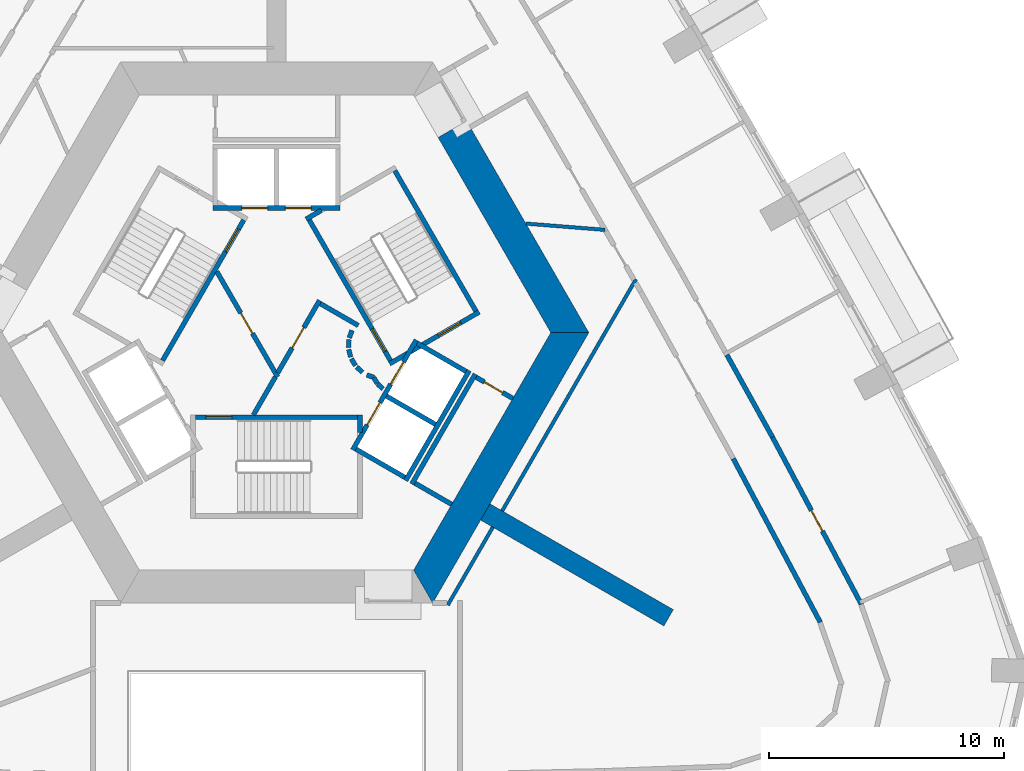
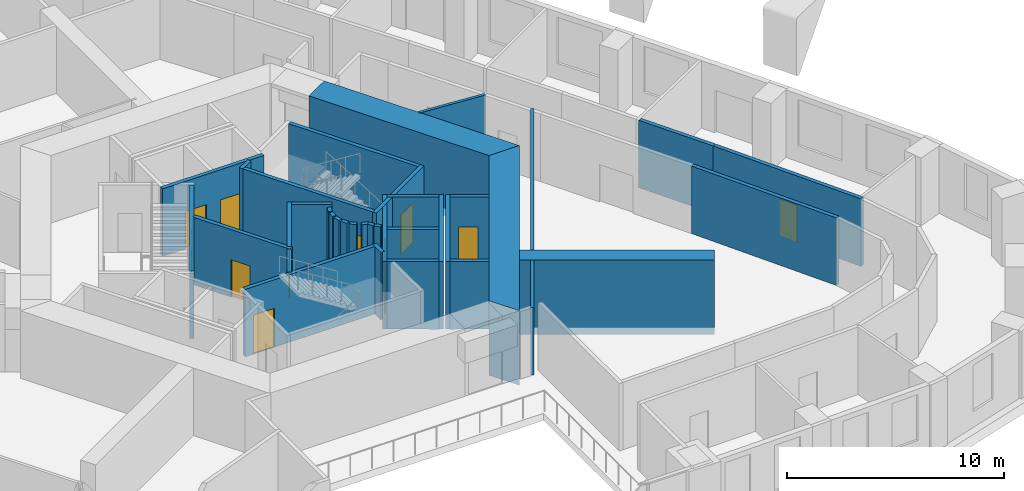
# One storey, part 6 of 13: 37 walls, 12 doors, 12 openings.
"""IFC4 building model written with IfcOpenShell, lengths in metres."""

import ifcopenshell
import ifcopenshell.guid

model = None  # the IFC model being written
_history = None  # IfcOwnerHistory: only IFC2X3 demands one
_inside = {}  # id of a spatial element -> (the spatial element, [elements in it])
_under = {}  # id of a project, library or spatial element -> (it, [spatial elements below it])
_declared = {}  # id of a project -> (the project, [libraries it declares])
_typed = {}  # id of a type object -> (the type object, [elements of that type])
_made_of = {}  # id of a material, layer set ... -> (it, [elements and type objects made of it])


def new_model(schema):
    """Start an empty IFC model of exactly this schema.

    Asked for "IFC4X3", IfcOpenShell would pick the latest addendum, in which some entities
    have other attributes; the version numbers below select the first issue.
    IFC2X3 requires an IfcOwnerHistory on every rooted entity: one is made here for all.
    """
    global model, _history
    if schema == "IFC4X3":
        model = ifcopenshell.file(schema_version=(4, 3, 0, 0))
    else:
        model = ifcopenshell.file(schema=schema)
    _inside.clear()
    _under.clear()
    _declared.clear()
    _typed.clear()
    _made_of.clear()
    _history = None
    if model.schema == "IFC2X3":
        org = make("IfcOrganization", Name="unknown")
        user = make(
            "IfcPersonAndOrganization",
            ThePerson=make("IfcPerson", FamilyName="unknown"),
            TheOrganization=org,
        )
        app = make(
            "IfcApplication",
            ApplicationDeveloper=org,
            Version="unknown",
            ApplicationFullName="unknown",
            ApplicationIdentifier="unknown",
        )
        _history = make(
            "IfcOwnerHistory",
            OwningUser=user,
            OwningApplication=app,
            ChangeAction="ADDED",
            CreationDate=0,
        )
    return model


def make(cls, **values):
    """One entity of the class cls with the attributes given. An attribute that is None is left unset."""
    return model.create_entity(
        cls, **{name: value for name, value in values.items() if value is not None}
    )


def rooted(cls, **values):
    """An entity with a GlobalId (a new one), such as an element, a storey or a relation."""
    return make(cls, GlobalId=ifcopenshell.guid.new(), OwnerHistory=_history, **values)


def si_unit(unit_type, name, prefix=None):
    """IfcSIUnit, for example si_unit("LENGTHUNIT", "METRE", prefix="MILLI")."""
    return make("IfcSIUnit", UnitType=unit_type, Prefix=prefix, Name=name)


def assignment(units):
    """IfcUnitAssignment: the units of a project."""
    return None if units is None else make("IfcUnitAssignment", Units=units)


def point(xyz):
    """IfcCartesianPoint."""
    return None if xyz is None else make("IfcCartesianPoint", Coordinates=xyz)


def direction(xyz):
    """IfcDirection."""
    return None if xyz is None else make("IfcDirection", DirectionRatios=xyz)


def frame(location, z_axis=None, x_axis=None):
    """IfcAxis2Placement3D, a coordinate frame: its origin and axes. An axis left out is left unset."""
    return make(
        "IfcAxis2Placement3D",
        Location=point(location),
        Axis=direction(z_axis),
        RefDirection=direction(x_axis),
    )


def frame_2d(location, x_axis=None):
    """IfcAxis2Placement2D, a coordinate frame in the plane: its origin and x axis."""
    return make(
        "IfcAxis2Placement2D", Location=point(location), RefDirection=direction(x_axis)
    )


def origin():
    """The frame at (0, 0, 0) with its axes left unset."""
    return frame((0.0, 0.0, 0.0))


def place(relative_to, where):
    """IfcLocalPlacement: puts the frame where relative to a parent placement (None: the world)."""
    return make(
        "IfcLocalPlacement", PlacementRelTo=relative_to, RelativePlacement=where
    )


def context(
    kind, dimensions, precision=None, world=None, true_north=None, identifier=None
):
    """IfcGeometricRepresentationContext, for example the 3D "Model" context."""
    return make(
        "IfcGeometricRepresentationContext",
        ContextIdentifier=identifier,
        ContextType=kind,
        CoordinateSpaceDimension=dimensions,
        Precision=precision,
        WorldCoordinateSystem=world,
        TrueNorth=true_north,
    )


def subcontext(parent, identifier, kind, view, scale=None):
    """IfcGeometricRepresentationSubContext, for example "Body" below "Model"."""
    return make(
        "IfcGeometricRepresentationSubContext",
        ContextIdentifier=identifier,
        ContextType=kind,
        ParentContext=parent,
        TargetScale=scale,
        TargetView=view,
    )


def project(units=None, contexts=None):
    """IfcProject with its units and contexts."""
    return rooted(
        "IfcProject",
        Name="project",
        RepresentationContexts=contexts,
        UnitsInContext=assignment(units),
    )


def spatial(cls, under=None, at=None, **own):
    """A site, building, storey or space (cls), placed at a placement, below another one or the project."""
    s = rooted(cls, ObjectPlacement=at, **own)
    if under is not None:
        _under.setdefault(under.id(), (under, []))[1].append(s)
    return s


def polyline(points):
    """IfcPolyline through the points."""
    return make("IfcPolyline", Points=[point(p) for p in points])


def profile(cls, at=None, kind="AREA", **sizes):
    """A parametric profile (cls). Its sizes go by their IFC names, for example OverallWidth=200.0."""
    return make(cls, ProfileType=kind, Position=at, **sizes)


def rectangle(**sizes):
    """IfcRectangleProfileDef."""
    return profile("IfcRectangleProfileDef", **sizes)


def outline(outer, holes=None, kind="AREA"):
    """IfcArbitraryClosedProfileDef: a profile drawn as a closed curve; with holes, ...WithVoids."""
    if holes is None:
        return make("IfcArbitraryClosedProfileDef", ProfileType=kind, OuterCurve=outer)
    return make(
        "IfcArbitraryProfileDefWithVoids",
        ProfileType=kind,
        OuterCurve=outer,
        InnerCurves=holes,
    )


def extrude(swept, where, along, depth):
    """IfcExtrudedAreaSolid: the profile swept, set in the frame where, extruded along a direction by depth."""
    return make(
        "IfcExtrudedAreaSolid",
        SweptArea=swept,
        Position=where,
        ExtrudedDirection=direction(along),
        Depth=depth,
    )


def shape(context_of_items, identifier, shape_type, items):
    """IfcShapeRepresentation: the items that make up one representation, for example the "Body"."""
    return make(
        "IfcShapeRepresentation",
        ContextOfItems=context_of_items,
        RepresentationIdentifier=identifier,
        RepresentationType=shape_type,
        Items=items,
    )


def material(Name=None, Category=None):
    """IfcMaterial."""
    return make("IfcMaterial", Name=Name, Category=Category)


def layer(
    of_material, thickness, ventilated=None, Name=None, Category=None, Priority=None
):
    """IfcMaterialLayer: one layer of a wall or slab, of a material (None: an air gap)."""
    return make(
        "IfcMaterialLayer",
        Material=of_material,
        LayerThickness=thickness,
        IsVentilated=ventilated,
        Name=Name,
        Category=Category,
        Priority=Priority,
    )


def layer_set(layers, Name=None):
    """IfcMaterialLayerSet."""
    return make("IfcMaterialLayerSet", MaterialLayers=layers, LayerSetName=Name)


def made_of(thing, what):
    """Note that an element or type object is made of a material, layer set ...; save() writes the relation."""
    if what is not None:
        _made_of.setdefault(what.id(), (what, []))[1].append(thing)
    return thing


def type_object(cls, material=None, **own):
    """A type object (cls), such as IfcWallType, which elements share."""
    return made_of(rooted(cls, **own), material)


def element(
    cls,
    number,
    at=None,
    inside=None,
    cuts=None,
    type_object=None,
    material=None,
    context=None,
    identifier="Body",
    shape_type=None,
    held_by="IfcProductDefinitionShape",
    body=None,
    shapes=None,
    **own,
):
    """One element of the class cls, such as IfcWall. Its Tag is "e" and its number.

    at: its placement. inside: the storey or other place that contains it. cuts: it is an
    opening in that element (IfcRelVoidsElement). A single representation is given by context,
    identifier, shape_type and body (its items); several are given by shapes. held_by: the class
    of the entity that holds the representations. save() writes the other relations.
    """
    e = rooted(cls, Tag="e%d" % number, ObjectPlacement=at, **own)
    if body is not None:
        shapes = [shape(context, identifier, shape_type, body)]
    if shapes is not None:
        e.Representation = make(held_by, Representations=shapes)
    if inside is not None:
        _inside.setdefault(inside.id(), (inside, []))[1].append(e)
    if cuts is not None:
        rooted(
            "IfcRelVoidsElement", RelatingBuildingElement=cuts, RelatedOpeningElement=e
        )
    if type_object is not None:
        _typed.setdefault(type_object.id(), (type_object, []))[1].append(e)
    return made_of(e, material)


def fill(opening, filler):
    """IfcRelFillsElement: the door or window that sits in an opening."""
    return rooted(
        "IfcRelFillsElement",
        RelatingOpeningElement=opening,
        RelatedBuildingElement=filler,
    )


def aggregate(whole, parts):
    """IfcRelAggregates: a whole, such as a stair, and the parts it consists of."""
    return rooted("IfcRelAggregates", RelatingObject=whole, RelatedObjects=parts)


def save(model, path):
    """Write the relations noted so far, then the file.

    IfcRelAggregates (storeys below a building ...), IfcRelContainedInSpatialStructure (elements
    in a storey), IfcRelDefinesByType, IfcRelAssociatesMaterial and IfcRelDeclares: one each for
    every whole, place, type object, material and project.
    """
    for whole, parts in _under.values():
        aggregate(whole, parts)
    for where, things in _inside.values():
        rooted(
            "IfcRelContainedInSpatialStructure",
            RelatedElements=things,
            RelatingStructure=where,
        )
    for kind, things in _typed.values():
        rooted("IfcRelDefinesByType", RelatedObjects=things, RelatingType=kind)
    for what, things in _made_of.values():
        rooted("IfcRelAssociatesMaterial", RelatedObjects=things, RelatingMaterial=what)
    for by, libraries in _declared.values():
        rooted("IfcRelDeclares", RelatingContext=by, RelatedDefinitions=libraries)
    model.write(path)


model = new_model("IFC4")

# Units and contexts
model_context = context("Model", 3, precision=1e-05, world=origin(), true_north=direction((0.0, 1.0)))
body_context = subcontext(model_context, "Body", "Model", "MODEL_VIEW")
ifc_project = project(units=[si_unit("LENGTHUNIT", "METRE"), si_unit("AREAUNIT", "SQUARE_METRE"), si_unit("VOLUMEUNIT", "CUBIC_METRE"), si_unit("PLANEANGLEUNIT", "RADIAN"), si_unit("MASSUNIT", "GRAM", prefix="KILO")], contexts=[model_context])

# Site, building, storey
site_placement = place(None, origin())
site = spatial("IfcSite", under=ifc_project, at=site_placement, CompositionType="ELEMENT")
building_placement = place(site_placement, origin())
building = spatial("IfcBuilding", under=site, at=building_placement, Name="Entoto Arch Interchange Tower", CompositionType="ELEMENT")
storey_placement = place(building_placement, frame((0.0, 0.0, 227.60009765625)))
storey = spatial("IfcBuildingStorey", under=building, at=storey_placement, Name="L51", CompositionType="ELEMENT", Elevation=227.60009765625)

# Walls
ifc_material_1 = material(Name="Concrete C50/60", Category="concrete")
ifc_layer_1 = layer(ifc_material_1, 0.800048828125)
ifc_layer_set_1 = layer_set([ifc_layer_1], Name="Concrete C50/60")
wall_type_1 = type_object("IfcWallType", Name="Buttress wall 800 C50/60", PredefinedType="SHEAR", material=ifc_layer_set_1)
wall_1_placement = place(storey_placement, frame((8.876953125, -5.125, -0.400146484375), z_axis=(0.0, 0.0, 1.0), x_axis=(0.866017533419, -0.500013631625, 0.0)))
element("IfcWall", 1, at=wall_1_placement, inside=storey, type_object=wall_type_1, Name="Buttress wall SE L51", PredefinedType="SHEAR", context=body_context, shape_type="SweptSolid", body=[
    extrude(rectangle(XDim=8.999755859375, YDim=0.800048828125, at=frame_2d((4.5, 0.0))), origin(), (0.0, 0.0, 1.0), 4.199951171875),
])
ifc_layer_2 = layer(ifc_material_1, 1.39990234375)
ifc_layer_set_2 = layer_set([ifc_layer_2], Name="Concrete C50/60")
wall_type_2 = type_object("IfcWallType", Name="Core wall 1400 C50/60", PredefinedType="SHEAR", material=ifc_layer_set_2)
wall_2_placement = place(storey_placement, frame((0.0, 0.0, -0.400146484375)))
element("IfcWall", 2, at=wall_2_placement, inside=storey, type_object=wall_type_2, Name="Core wall NE L51", PredefinedType="SHEAR", context=body_context, shape_type="SweptSolid", body=[
    extrude(outline(polyline([(8.083984375, 11.498046875), (6.87109375, 10.798095703125), (11.662109375, 2.5), (13.279052734375, 2.5), (8.083984375, 11.498046875)])), origin(), (0.0, 0.0, 1.0), 4.199951171875),
])
wall_3_placement = place(storey_placement, frame((0.0, 0.0, -0.400146484375)))
element("IfcWall", 3, at=wall_3_placement, inside=storey, type_object=wall_type_2, Name="Core wall SE L51", PredefinedType="SHEAR", context=body_context, shape_type="SweptSolid", body=[
    extrude(outline(polyline([(6.639892578125, -9.0), (13.279052734375, 2.5), (11.662109375, 2.5), (5.8310546875, -7.60009765625), (6.639892578125, -9.0)])), origin(), (0.0, 0.0, 1.0), 4.199951171875),
])

# Wall, openings, doors
ifc_material_2 = material(Name="Concrete C40/50", Category="concrete")
ifc_layer_3 = layer(ifc_material_2, 0.199951171875)
ifc_layer_set_3 = layer_set([ifc_layer_3], Name="Concrete C40/50")
wall_type_3 = type_object("IfcWallType", Name="LIFT SHAFT WALL 200", PredefinedType="STANDARD", material=ifc_layer_set_3)
wall_4_placement = place(storey_placement, frame((2.699951171875, 7.800048828125, 0.0), z_axis=(0.0, 0.0, 1.0), x_axis=(-1.0, 0.0, 0.0)))
wall_4 = element("IfcWall", 4, at=wall_4_placement, inside=storey, type_object=wall_type_3, Name="Shaft wall N1 front", PredefinedType="STANDARD", context=body_context, shape_type="SweptSolid", body=[
    extrude(rectangle(XDim=5.39990234375, YDim=0.199951171875, at=frame_2d((2.699951171875, 0.0))), origin(), (0.0, 0.0, 1.0), 3.7998046875),
])
opening_1_placement = place(wall_4_placement, frame((1.22509765625, 0.0, 0.0)))
opening_1 = element("IfcOpeningElement", 5, at=opening_1_placement, cuts=wall_4, Name="Opening LD-HR1-L51", PredefinedType="OPENING", context=body_context, shape_type="SweptSolid", body=[
    extrude(rectangle(XDim=1.10009765625, YDim=2.10009765625, at=frame_2d((0.550048828125, 1.050048828125))), frame((0.0, 0.10986328125, 0.0), z_axis=(0.0, -1.0, 0.0), x_axis=(1.0, 0.0, 0.0)), (0.0, 0.0, 1.0), 0.219970703125),
])
opening_2_placement = place(wall_4_placement, frame((3.074951171875, 0.0, 0.0)))
opening_2 = element("IfcOpeningElement", 6, at=opening_2_placement, cuts=wall_4, Name="Opening LD-HR2-L51", PredefinedType="OPENING", context=body_context, shape_type="SweptSolid", body=[
    extrude(rectangle(XDim=1.10009765625, YDim=2.10009765625, at=frame_2d((0.550048828125, 1.050048828125))), frame((0.0, 0.10986328125, 0.0), z_axis=(0.0, -1.0, 0.0), x_axis=(1.0, 0.0, 0.0)), (0.0, 0.0, 1.0), 0.219970703125),
])
ifc_material_3 = material(Name="Stainless steel 1.4301 panels", Category="steel")
door_type_1 = type_object("IfcDoorType", Name="LIFT LANDING DOOR LD1 1100x2100", OperationType="SLIDING_TO_LEFT", PredefinedType="DOOR", material=ifc_material_3)
door_1_placement = place(opening_1_placement, origin())
door_1 = element("IfcDoor", 7, at=door_1_placement, inside=storey, type_object=door_type_1, Name="Lift landing door HR1 L51", OperationType="SLIDING_TO_LEFT", OverallHeight=2.10009765625, OverallWidth=1.10009765625, PredefinedType="DOOR", context=body_context, shape_type="SweptSolid", body=[
    extrude(rectangle(XDim=1.10009765625, YDim=2.10009765625, at=frame_2d((0.550048828125, 1.050048828125))), frame((0.0, 0.02490234375, 0.0), z_axis=(0.0, -1.0, 0.0), x_axis=(1.0, 0.0, 0.0)), (0.0, 0.0, 1.0), 0.050048828125),
])
fill(opening_1, door_1)
door_2_placement = place(opening_2_placement, origin())
door_2 = element("IfcDoor", 8, at=door_2_placement, inside=storey, type_object=door_type_1, Name="Lift landing door HR2 L51", OperationType="SLIDING_TO_LEFT", OverallHeight=2.10009765625, OverallWidth=1.10009765625, PredefinedType="DOOR", context=body_context, shape_type="SweptSolid", body=[
    extrude(rectangle(XDim=1.10009765625, YDim=2.10009765625, at=frame_2d((0.550048828125, 1.050048828125))), frame((0.0, 0.02490234375, 0.0), z_axis=(0.0, -1.0, 0.0), x_axis=(1.0, 0.0, 0.0)), (0.0, 0.0, 1.0), 0.050048828125),
])
fill(opening_2, door_2)

wall_5_placement = place(storey_placement, frame((3.239990234375, -2.488037109375, 0.0), z_axis=(0.0, 0.0, 1.0), x_axis=(0.500034260056, 0.866005622828, 0.0)))
wall_5 = element("IfcWall", 9, at=wall_5_placement, inside=storey, type_object=wall_type_3, Name="Shaft wall SE1 front", PredefinedType="STANDARD", context=body_context, shape_type="SweptSolid", body=[
    extrude(rectangle(XDim=5.3994140625, YDim=0.199951171875, at=frame_2d((2.69970703125, 0.0))), origin(), (0.0, 0.0, 1.0), 3.7998046875),
])
opening_3_placement = place(wall_5_placement, frame((3.22509765625, 0.0, 0.0)))
opening_3 = element("IfcOpeningElement", 10, at=opening_3_placement, cuts=wall_5, Name="Opening LD-HR3-L51", PredefinedType="OPENING", context=body_context, shape_type="SweptSolid", body=[
    extrude(rectangle(XDim=1.10009765625, YDim=2.10009765625, at=frame_2d((0.550048828125, 1.050048828125))), frame((0.0, 0.10986328125, 0.0), z_axis=(0.0, -1.0, 0.0), x_axis=(1.0, 0.0, 0.0)), (0.0, 0.0, 1.0), 0.219970703125),
])
opening_4_placement = place(wall_5_placement, frame((1.22509765625, 0.0, 0.0)))
opening_4 = element("IfcOpeningElement", 11, at=opening_4_placement, cuts=wall_5, Name="Opening LD-FF1-L51", PredefinedType="OPENING", context=body_context, shape_type="SweptSolid", body=[
    extrude(rectangle(XDim=1.10009765625, YDim=2.10009765625, at=frame_2d((0.550048828125, 1.050048828125))), frame((0.0, 0.10986328125, 0.0), z_axis=(0.0, -1.0, 0.0), x_axis=(1.0, 0.0, 0.0)), (0.0, 0.0, 1.0), 0.219970703125),
])
door_3_placement = place(opening_3_placement, origin())
door_3 = element("IfcDoor", 12, at=door_3_placement, inside=storey, type_object=door_type_1, Name="Lift landing door HR3 L51", OperationType="SLIDING_TO_LEFT", OverallHeight=2.10009765625, OverallWidth=1.10009765625, PredefinedType="DOOR", context=body_context, shape_type="SweptSolid", body=[
    extrude(rectangle(XDim=1.10009765625, YDim=2.10009765625, at=frame_2d((0.550048828125, 1.050048828125))), frame((0.0, 0.02490234375, 0.0), z_axis=(0.0, -1.0, 0.0), x_axis=(1.0, 0.0, 0.0)), (0.0, 0.0, 1.0), 0.050048828125),
])
fill(opening_3, door_3)
door_4_placement = place(opening_4_placement, origin())
door_4 = element("IfcDoor", 13, at=door_4_placement, inside=storey, type_object=door_type_1, Name="Lift landing door FF1 L51", OperationType="SLIDING_TO_LEFT", OverallHeight=2.10009765625, OverallWidth=1.10009765625, PredefinedType="DOOR", context=body_context, shape_type="SweptSolid", body=[
    extrude(rectangle(XDim=1.10009765625, YDim=2.10009765625, at=frame_2d((0.550048828125, 1.050048828125))), frame((0.0, 0.02490234375, 0.0), z_axis=(0.0, -1.0, 0.0), x_axis=(1.0, 0.0, 0.0)), (0.0, 0.0, 1.0), 0.050048828125),
])
fill(opening_4, door_4)

# Walls
wall_6_placement = place(storey_placement, frame((5.491943359375, -3.7880859375, 0.0), z_axis=(0.0, 0.0, 1.0), x_axis=(0.500034260056, 0.866005622828, 0.0)))
element("IfcWall", 14, at=wall_6_placement, inside=storey, type_object=wall_type_3, Name="Shaft wall SE1 back", PredefinedType="STANDARD", context=body_context, shape_type="SweptSolid", body=[
    extrude(rectangle(XDim=5.3994140625, YDim=0.199951171875, at=frame_2d((2.69970703125, 0.0))), origin(), (0.0, 0.0, 1.0), 3.7998046875),
])
wall_7_placement = place(storey_placement, frame((3.376953125, -2.451904296875, 0.0), z_axis=(0.0, 0.0, 1.0), x_axis=(0.865955154139, -0.50012165622, 0.0)))
element("IfcWall", 15, at=wall_7_placement, inside=storey, type_object=wall_type_3, Name="Shaft wall SE1 cross 1", PredefinedType="STANDARD", context=body_context, shape_type="SweptSolid", body=[
    extrude(rectangle(XDim=2.39990234375, YDim=0.199951171875, at=frame_2d((1.199951171875, 0.0))), origin(), (0.0, 0.0, 1.0), 3.7998046875),
])
for number, where, z_axis, x_axis, name in (
    (16, (4.677001953125, -0.199951171875, 0.0), (0.0, 0.0, 1.0), (0.865973769406, -0.500089422704, 0.0), "Shaft wall SE1 cross 2"),
    (17, (5.97705078125, 2.052001953125, 0.0), (0.0, 0.0, 1.0), (0.865973769406, -0.500089422704, 0.0), "Shaft wall SE1 cross 3"),
):
    element("IfcWall", number, at=place(storey_placement, frame(where, z_axis=z_axis, x_axis=x_axis)), inside=storey, type_object=wall_type_3, Name=name, PredefinedType="STANDARD", context=body_context, shape_type="SweptSolid", body=[
        extrude(rectangle(XDim=2.3994140625, YDim=0.199951171875, at=frame_2d((1.19970703125, 0.0))), origin(), (0.0, 0.0, 1.0), 3.7998046875),
    ])
ifc_material_4 = material(Name="Gypsum board partition on steel studs", Category="steel")
ifc_layer_4 = layer(ifc_material_4, 0.14990234375)
ifc_layer_set_4 = layer_set([ifc_layer_4], Name="Gypsum board partition on steel studs")
wall_type_4 = type_object("IfcWallType", Name="PARTITION 150", PredefinedType="PARTITIONING", material=ifc_layer_set_4)
wall_8_placement = place(storey_placement, frame((10.60400390625, 7.135009765625, 0.0), z_axis=(0.0, 0.0, 1.0), x_axis=(0.996887536909, -0.07883678555, 0.0)))
element("IfcWall", 18, at=wall_8_placement, inside=storey, type_object=wall_type_4, Name="wall:L51:p083", PredefinedType="PARTITIONING", context=body_context, shape_type="SweptSolid", body=[
    extrude(rectangle(XDim=3.37548828125, YDim=0.14990234375, at=frame_2d((1.687744140625, 0.0))), origin(), (0.0, 0.0, 1.0), 3.7998046875),
])
wall_9_placement = place(storey_placement, frame((7.282958984375, -9.0859375, 0.0), z_axis=(0.0, 0.0, 1.0), x_axis=(0.500035303972, 0.866005020067, 0.0)))
element("IfcWall", 19, at=wall_9_placement, inside=storey, type_object=wall_type_4, Name="wall:L51:p085", PredefinedType="PARTITIONING", context=body_context, shape_type="SweptSolid", body=[
    extrude(rectangle(XDim=3.827880859375, YDim=0.14990234375, at=frame_2d((1.9140625, 0.0))), origin(), (0.0, 0.0, 1.0), 3.7998046875),
])
wall_10_placement = place(storey_placement, frame((9.596923828125, -5.0791015625, 0.0), z_axis=(0.0, 0.0, 1.0), x_axis=(0.499949193323, 0.866054735046, 0.0)))
element("IfcWall", 20, at=wall_10_placement, inside=storey, type_object=wall_type_4, Name="wall:L51:p085", PredefinedType="PARTITIONING", context=body_context, shape_type="SweptSolid", body=[
    extrude(rectangle(XDim=11.371337890625, YDim=0.14990234375, at=frame_2d((5.685546875, 0.0))), origin(), (0.0, 0.0, 1.0), 3.7998046875),
])
ifc_layer_5 = layer(ifc_material_4, 0.199951171875)
ifc_layer_set_5 = layer_set([ifc_layer_5], Name="Gypsum board partition on steel studs")
wall_type_5 = type_object("IfcWallType", Name="PARTITION 200", PredefinedType="PARTITIONING", material=ifc_layer_set_5)
wall_11_placement = place(storey_placement, frame((23.12109375, -9.819091796875, 0.0), z_axis=(0.0, 0.0, 1.0), x_axis=(-0.469450210487, 0.882958945746, 0.0)))
element("IfcWall", 21, at=wall_11_placement, inside=storey, type_object=wall_type_5, Name="wall:L51:p026", PredefinedType="PARTITIONING", context=body_context, shape_type="SweptSolid", body=[
    extrude(rectangle(XDim=7.88623046875, YDim=0.199951171875, at=frame_2d((3.943115234375, 0.0))), origin(), (0.0, 0.0, 1.0), 3.7998046875),
])
wall_12_placement = place(storey_placement, frame((19.14892578125, 1.552978515625, 0.0), z_axis=(0.0, 0.0, 1.0), x_axis=(0.484622593188, -0.874723351793, 0.0)))
element("IfcWall", 22, at=wall_12_placement, inside=storey, type_object=wall_type_5, Name="wall:L51:p046", PredefinedType="PARTITIONING", context=body_context, shape_type="SweptSolid", body=[
    extrude(rectangle(XDim=4.00341796875, YDim=0.199951171875, at=frame_2d((2.001708984375, 0.0))), origin(), (0.0, 0.0, 1.0), 3.7998046875),
])

# Wall, opening, door
wall_13_placement = place(storey_placement, frame((21.089111328125, -1.948974609375, 0.0), z_axis=(0.0, 0.0, 1.0), x_axis=(0.469431794586, -0.882968736837, 0.0)))
wall_13 = element("IfcWall", 23, at=wall_13_placement, inside=storey, type_object=wall_type_5, Name="wall:L51:p047", PredefinedType="PARTITIONING", context=body_context, shape_type="SweptSolid", body=[
    extrude(rectangle(XDim=8.045654296875, YDim=0.199951171875, at=frame_2d((4.02294921875, 0.0))), origin(), (0.0, 0.0, 1.0), 3.7998046875),
])
opening_5_placement = place(wall_13_placement, frame((3.52197265625, 0.0, 0.0)))
opening_5 = element("IfcOpeningElement", 24, at=opening_5_placement, cuts=wall_13, Name="Opening L51-D04", PredefinedType="OPENING", context=body_context, shape_type="SweptSolid", body=[
    extrude(rectangle(XDim=1.0, YDim=2.10009765625, at=frame_2d((0.5, 1.050048828125))), frame((0.0, 0.10986328125, 0.0), z_axis=(0.0, -1.0, 0.0), x_axis=(1.0, 0.0, 0.0)), (0.0, 0.0, 1.0), 0.219970703125),
])
ifc_material_5 = material(Name="Timber door leaf in Steel S235 frame", Category="steel")
door_type_2 = type_object("IfcDoorType", Name="DOOR DS-10 1000x2100", OperationType="SINGLE_SWING_LEFT", PredefinedType="DOOR", material=ifc_material_5)
door_5_placement = place(opening_5_placement, origin())
door_5 = element("IfcDoor", 25, at=door_5_placement, inside=storey, type_object=door_type_2, Name="door:L51:04", OperationType="SINGLE_SWING_LEFT", OverallHeight=2.10009765625, OverallWidth=1.0, PredefinedType="DOOR", context=body_context, shape_type="SweptSolid", body=[
    extrude(rectangle(XDim=1.0, YDim=2.10009765625, at=frame_2d((0.5, 1.050048828125))), frame((0.0, 0.02490234375, 0.0), z_axis=(0.0, -1.0, 0.0), x_axis=(1.0, 0.0, 0.0)), (0.0, 0.0, 1.0), 0.050048828125),
])
fill(opening_5, door_5)

# Wall
wall_14_placement = place(storey_placement, frame((5.7509765625, -3.93798828125, 0.0), z_axis=(0.0, 0.0, 1.0), x_axis=(0.500034260056, 0.866005622828, 0.0)))
element("IfcWall", 26, at=wall_14_placement, inside=storey, type_object=wall_type_5, Name="wall:L51:p074", PredefinedType="PARTITIONING", context=body_context, shape_type="SweptSolid", body=[
    extrude(rectangle(XDim=5.3994140625, YDim=0.199951171875, at=frame_2d((2.69970703125, 0.0))), origin(), (0.0, 0.0, 1.0), 3.7998046875),
])

# Wall, opening, door
wall_15_placement = place(storey_placement, frame((8.488037109375, 0.60205078125, 0.0), z_axis=(0.0, 0.0, 1.0), x_axis=(0.86585331735, -0.500297944063, 0.0)))
wall_15 = element("IfcWall", 27, at=wall_15_placement, inside=storey, type_object=wall_type_5, Name="wall:L51:p075", PredefinedType="PARTITIONING", context=body_context, shape_type="SweptSolid", body=[
    extrude(rectangle(XDim=1.79931640625, YDim=0.199951171875, at=frame_2d((0.899658203125, 0.0))), origin(), (0.0, 0.0, 1.0), 3.7998046875),
])
opening_6_placement = place(wall_15_placement, frame((0.39990234375, 0.0, 0.0)))
opening_6 = element("IfcOpeningElement", 28, at=opening_6_placement, cuts=wall_15, Name="Opening L51-D30", PredefinedType="OPENING", context=body_context, shape_type="SweptSolid", body=[
    extrude(rectangle(XDim=0.89990234375, YDim=2.10009765625, at=frame_2d((0.449951171875, 1.050048828125))), frame((0.0, 0.10986328125, 0.0), z_axis=(0.0, -1.0, 0.0), x_axis=(1.0, 0.0, 0.0)), (0.0, 0.0, 1.0), 0.219970703125),
])
door_type_3 = type_object("IfcDoorType", Name="DOOR DS-09 900x2100", OperationType="SINGLE_SWING_LEFT", PredefinedType="DOOR", material=ifc_material_5)
door_6_placement = place(opening_6_placement, origin())
door_6 = element("IfcDoor", 29, at=door_6_placement, inside=storey, type_object=door_type_3, Name="door:L51:30", OperationType="SINGLE_SWING_RIGHT", OverallHeight=2.10009765625, OverallWidth=0.89990234375, PredefinedType="DOOR", context=body_context, shape_type="SweptSolid", body=[
    extrude(rectangle(XDim=0.89990234375, YDim=2.10009765625, at=frame_2d((0.449951171875, 1.050048828125))), frame((0.0, 0.02490234375, 0.0), z_axis=(0.0, -1.0, 0.0), x_axis=(1.0, 0.0, 0.0)), (0.0, 0.0, 1.0), 0.050048828125),
])
fill(opening_6, door_6)

# Walls
wall_16_placement = place(storey_placement, frame((7.447021484375, -4.801025390625, 0.0), z_axis=(0.0, 0.0, 1.0), x_axis=(-0.866316547501, 0.499495384889, 0.0)))
element("IfcWall", 30, at=wall_16_placement, inside=storey, type_object=wall_type_5, Name="wall:L51:p076", PredefinedType="PARTITIONING", context=body_context, shape_type="SweptSolid", body=[
    extrude(rectangle(XDim=1.799560546875, YDim=0.199951171875, at=frame_2d((0.89990234375, 0.0))), origin(), (0.0, 0.0, 1.0), 3.7998046875),
])
wall_17_placement = place(storey_placement, frame((-0.98193359375, -1.0, 0.0), z_axis=(0.0, 0.0, 1.0), x_axis=(0.50024047865, 0.865886518847, 0.0)))
element("IfcWall", 31, at=wall_17_placement, inside=storey, type_object=wall_type_5, Name="wall:L51:p086", PredefinedType="PARTITIONING", context=body_context, shape_type="SweptSolid", body=[
    extrude(rectangle(XDim=1.86279296875, YDim=0.199951171875, at=frame_2d((0.931396484375, 0.0))), origin(), (0.0, 0.0, 1.0), 3.7998046875),
])

# Wall, opening, door
wall_18_placement = place(storey_placement, frame((0.050048828125, 0.787109375, 0.0), z_axis=(0.0, 0.0, 1.0), x_axis=(0.499954076797, 0.866051915934, 0.0)))
wall_18 = element("IfcWall", 32, at=wall_18_placement, inside=storey, type_object=wall_type_5, Name="wall:L51:p087", PredefinedType="PARTITIONING", context=body_context, shape_type="SweptSolid", body=[
    extrude(rectangle(XDim=3.558349609375, YDim=0.199951171875, at=frame_2d((1.779296875, 0.0))), origin(), (0.0, 0.0, 1.0), 3.7998046875),
])
opening_7_placement = place(wall_18_placement, frame((1.22900390625, 0.0, 0.0)))
opening_7 = element("IfcOpeningElement", 33, at=opening_7_placement, cuts=wall_18, Name="Opening L51-D27", PredefinedType="OPENING", context=body_context, shape_type="SweptSolid", body=[
    extrude(rectangle(XDim=1.0, YDim=2.10009765625, at=frame_2d((0.5, 1.050048828125))), frame((0.0, 0.10986328125, 0.0), z_axis=(0.0, -1.0, 0.0), x_axis=(1.0, 0.0, 0.0)), (0.0, 0.0, 1.0), 0.219970703125),
])
ifc_material_6 = material(Name="Fire-rated Steel S235 door and frame", Category="steel")
door_type_4 = type_object("IfcDoorType", Name="DOOR FD-10 1000x2100", OperationType="SINGLE_SWING_LEFT", PredefinedType="DOOR", material=ifc_material_6)
door_7_placement = place(opening_7_placement, origin())
door_7 = element("IfcDoor", 34, at=door_7_placement, inside=storey, type_object=door_type_4, Name="door:L51:27", OperationType="SINGLE_SWING_RIGHT", OverallHeight=2.10009765625, OverallWidth=1.0, PredefinedType="DOOR", context=body_context, shape_type="SweptSolid", body=[
    extrude(rectangle(XDim=1.0, YDim=2.10009765625, at=frame_2d((0.5, 1.050048828125))), frame((0.0, 0.02490234375, 0.0), z_axis=(0.0, -1.0, 0.0), x_axis=(1.0, 0.0, 0.0)), (0.0, 0.0, 1.0), 0.050048828125),
])
fill(opening_7, door_7)

# Walls
wall_19_placement = place(storey_placement, frame((1.865966796875, 3.73193359375, 0.0), z_axis=(0.0, 0.0, 1.0), x_axis=(0.866043361281, -0.499968895414, 0.0)))
element("IfcWall", 35, at=wall_19_placement, inside=storey, type_object=wall_type_5, Name="wall:L51:p088", PredefinedType="PARTITIONING", context=body_context, shape_type="SweptSolid", body=[
    extrude(rectangle(XDim=1.85791015625, YDim=0.199951171875, at=frame_2d((0.928955078125, 0.0))), origin(), (0.0, 0.0, 1.0), 3.7998046875),
])
wall_20_placement = place(storey_placement, frame((3.2080078125, 2.592041015625, 0.0), z_axis=(0.0, 0.0, 1.0), x_axis=(-0.337388820924, -0.941365382578, 0.0)))
element("IfcWall", 36, at=wall_20_placement, inside=storey, type_object=wall_type_5, Name="wall:L51:p089", PredefinedType="PARTITIONING", context=body_context, shape_type="SweptSolid", body=[
    extrude(rectangle(XDim=0.337890625, YDim=0.199951171875, at=frame_2d((0.1689453125, 0.0))), origin(), (0.0, 0.0, 1.0), 3.7998046875),
])
wall_21_placement = place(storey_placement, frame((3.0791015625, 2.198974609375, 0.0), z_axis=(0.0, 0.0, 1.0), x_axis=(-0.047771483479, -0.998858290933, 0.0)))
element("IfcWall", 37, at=wall_21_placement, inside=storey, type_object=wall_type_5, Name="wall:L51:p090", PredefinedType="PARTITIONING", context=body_context, shape_type="SweptSolid", body=[
    extrude(rectangle(XDim=0.33740234375, YDim=0.199951171875, at=frame_2d((0.168701171875, 0.0))), origin(), (0.0, 0.0, 1.0), 3.7998046875),
])
wall_22_placement = place(storey_placement, frame((3.070068359375, 1.785888671875, 0.0), z_axis=(0.0, 0.0, 1.0), x_axis=(0.242705583207, -0.970099994784, 0.0)))
element("IfcWall", 38, at=wall_22_placement, inside=storey, type_object=wall_type_5, Name="wall:L51:p091", PredefinedType="PARTITIONING", context=body_context, shape_type="SweptSolid", body=[
    extrude(rectangle(XDim=0.337890625, YDim=0.199951171875, at=frame_2d((0.1689453125, 0.0))), origin(), (0.0, 0.0, 1.0), 3.7998046875),
])
for number, where, z_axis, x_axis, name in (
    (39, (3.181884765625, 1.387939453125, 0.0), (0.0, 0.0, 1.0), (0.512474702713, -0.85870232274, 0.0), "wall:L51:p092"),
    (40, (3.404052734375, 1.0390625, 0.0), (0.0, 0.0, 1.0), (0.740267097712, -0.672312891476, 0.0), "wall:L51:p093"),
):
    element("IfcWall", number, at=place(storey_placement, frame(where, z_axis=z_axis, x_axis=x_axis)), inside=storey, type_object=wall_type_5, Name=name, PredefinedType="PARTITIONING", context=body_context, shape_type="SweptSolid", body=[
        extrude(rectangle(XDim=0.337646484375, YDim=0.199951171875, at=frame_2d((0.1689453125, 0.0))), origin(), (0.0, 0.0, 1.0), 3.7998046875),
    ])
wall_23_placement = place(storey_placement, frame((3.837890625, 0.701904296875, 0.0), z_axis=(0.0, 0.0, 1.0), x_axis=(0.941035081519, -0.338308993895, 0.0)))
element("IfcWall", 41, at=wall_23_placement, inside=storey, type_object=wall_type_5, Name="wall:L51:p094", PredefinedType="PARTITIONING", context=body_context, shape_type="SweptSolid", body=[
    extrude(rectangle(XDim=0.3369140625, YDim=0.199951171875, at=frame_2d((0.16845703125, 0.0))), origin(), (0.0, 0.0, 1.0), 3.7998046875),
])
wall_24_placement = place(storey_placement, frame((4.132080078125, 0.593017578125, 0.0), z_axis=(0.0, 0.0, 1.0), x_axis=(0.513561617048, -0.858052717201, 0.0)))
element("IfcWall", 42, at=wall_24_placement, inside=storey, type_object=wall_type_5, Name="wall:L51:p095", PredefinedType="PARTITIONING", context=body_context, shape_type="SweptSolid", body=[
    extrude(rectangle(XDim=0.3076171875, YDim=0.199951171875, at=frame_2d((0.15380859375, 0.0))), origin(), (0.0, 0.0, 1.0), 3.7998046875),
])
wall_25_placement = place(storey_placement, frame((4.301025390625, 0.31494140625, 0.0), z_axis=(0.0, 0.0, 1.0), x_axis=(0.741798017506, -0.670623367639, 0.0)))
element("IfcWall", 43, at=wall_25_placement, inside=storey, type_object=wall_type_5, Name="wall:L51:p096", PredefinedType="PARTITIONING", context=body_context, shape_type="SweptSolid", body=[
    extrude(rectangle(XDim=0.30859375, YDim=0.199951171875, at=frame_2d((0.154296875, 0.0))), origin(), (0.0, 0.0, 1.0), 3.7998046875),
])

# Wall, opening, door
wall_26_placement = place(storey_placement, frame((-2.5400390625, 5.10009765625, 0.0), z_axis=(0.0, 0.0, 1.0), x_axis=(0.499925051871, -0.866068670783, 0.0)))
wall_26 = element("IfcWall", 44, at=wall_26_placement, inside=storey, type_object=wall_type_5, Name="wall:L51:p097", PredefinedType="PARTITIONING", context=body_context, shape_type="SweptSolid", body=[
    extrude(rectangle(XDim=5.180908203125, YDim=0.199951171875, at=frame_2d((2.59033203125, 0.0))), origin(), (0.0, 0.0, 1.0), 3.7998046875),
])
opening_8_placement = place(wall_26_placement, frame((2.0400390625, 0.0, 0.0)))
opening_8 = element("IfcOpeningElement", 45, at=opening_8_placement, cuts=wall_26, Name="Opening L51-D28", PredefinedType="OPENING", context=body_context, shape_type="SweptSolid", body=[
    extrude(rectangle(XDim=1.0, YDim=2.10009765625, at=frame_2d((0.5, 1.050048828125))), frame((0.0, 0.10986328125, 0.0), z_axis=(0.0, -1.0, 0.0), x_axis=(1.0, 0.0, 0.0)), (0.0, 0.0, 1.0), 0.219970703125),
])
door_8_placement = place(opening_8_placement, origin())
door_8 = element("IfcDoor", 46, at=door_8_placement, inside=storey, type_object=door_type_4, Name="door:L51:28", OperationType="SINGLE_SWING_RIGHT", OverallHeight=2.10009765625, OverallWidth=1.0, PredefinedType="DOOR", context=body_context, shape_type="SweptSolid", body=[
    extrude(rectangle(XDim=1.0, YDim=2.10009765625, at=frame_2d((0.5, 1.050048828125))), frame((0.0, 0.02490234375, 0.0), z_axis=(0.0, -1.0, 0.0), x_axis=(1.0, 0.0, 0.0)), (0.0, 0.0, 1.0), 0.050048828125),
])
fill(opening_8, door_8)

# Wall
ifc_layer_6 = layer(ifc_material_2, 0.199951171875)
ifc_layer_set_6 = layer_set([ifc_layer_6], Name="Concrete C40/50")
wall_type_6 = type_object("IfcWallType", Name="STAIR ENCLOSURE WALL 200", PredefinedType="STANDARD", material=ifc_layer_set_6)
wall_27_placement = place(storey_placement, frame((3.550048828125, -1.0, 0.0), z_axis=(0.0, 0.0, 1.0), x_axis=(0.0, -1.0, 0.0)))
element("IfcWall", 47, at=wall_27_placement, inside=storey, type_object=wall_type_6, Name="Stair wall ST-S far return", PredefinedType="STANDARD", context=body_context, shape_type="SweptSolid", body=[
    extrude(rectangle(XDim=0.7509765625, YDim=0.199951171875, at=frame_2d((0.37548828125, 0.0))), origin(), (0.0, 0.0, 1.0), 3.7998046875),
])

# Wall, opening, door
wall_28_placement = place(storey_placement, frame((-3.449951171875, -1.10009765625, 0.0), z_axis=(0.0, 0.0, 1.0), x_axis=(1.0, 0.0, 0.0)))
wall_28 = element("IfcWall", 48, at=wall_28_placement, inside=storey, type_object=wall_type_6, Name="Stair wall ST-S hall", PredefinedType="STANDARD", context=body_context, shape_type="SweptSolid", body=[
    extrude(rectangle(XDim=6.89990234375, YDim=0.199951171875, at=frame_2d((3.449951171875, 0.0))), origin(), (0.0, 0.0, 1.0), 3.7998046875),
])
opening_9_placement = place(wall_28_placement, frame((0.449951171875, 0.0, 0.0)))
opening_9 = element("IfcOpeningElement", 49, at=opening_9_placement, cuts=wall_28, Name="Opening SD-ST-S-L51", PredefinedType="OPENING", context=body_context, shape_type="SweptSolid", body=[
    extrude(rectangle(XDim=1.10009765625, YDim=2.199951171875, at=frame_2d((0.550048828125, 1.10009765625))), frame((0.0, 0.10986328125, 0.0), z_axis=(0.0, -1.0, 0.0), x_axis=(1.0, 0.0, 0.0)), (0.0, 0.0, 1.0), 0.219970703125),
])
ifc_material_7 = material(Name="Steel S235", Category="steel")
door_type_5 = type_object("IfcDoorType", Name="STAIR DOOR SD1 1100x2200", OperationType="SINGLE_SWING_LEFT", PredefinedType="DOOR", material=ifc_material_7)
door_9_placement = place(opening_9_placement, origin())
door_9 = element("IfcDoor", 50, at=door_9_placement, inside=storey, type_object=door_type_5, Name="Stair door ST-S L51", OperationType="SINGLE_SWING_LEFT", OverallHeight=2.199951171875, OverallWidth=1.10009765625, PredefinedType="DOOR", context=body_context, shape_type="SweptSolid", body=[
    extrude(rectangle(XDim=1.10009765625, YDim=2.199951171875, at=frame_2d((0.550048828125, 1.10009765625))), frame((0.0, 0.02490234375, 0.0), z_axis=(0.0, -1.0, 0.0), x_axis=(1.0, 0.0, 0.0)), (0.0, 0.0, 1.0), 0.050048828125),
])
fill(opening_9, door_9)

wall_29_placement = place(storey_placement, frame((4.805908203125, 1.176025390625, 0.0), z_axis=(0.0, 0.0, 1.0), x_axis=(0.866059941101, 0.499940174841, 0.0)))
wall_29 = element("IfcWall", 51, at=wall_29_placement, inside=storey, type_object=wall_type_6, Name="Stair wall ST-NE near", PredefinedType="STANDARD", context=body_context, shape_type="SweptSolid", body=[
    extrude(rectangle(XDim=4.400390625, YDim=0.199951171875, at=frame_2d((2.2001953125, 0.0))), origin(), (0.0, 0.0, 1.0), 3.7998046875),
])
opening_10_placement = place(wall_29_placement, frame((2.39990234375, 0.0, 0.0)))
opening_10 = element("IfcOpeningElement", 52, at=opening_10_placement, cuts=wall_29, Name="Opening SD-ST-NE-L51-E", PredefinedType="OPENING", context=body_context, shape_type="SweptSolid", body=[
    extrude(rectangle(XDim=1.10009765625, YDim=2.199951171875, at=frame_2d((0.550048828125, 1.10009765625))), frame((0.0, 0.10986328125, 0.0), z_axis=(0.0, -1.0, 0.0), x_axis=(1.0, 0.0, 0.0)), (0.0, 0.0, 1.0), 0.219970703125),
])
door_10_placement = place(opening_10_placement, origin())
door_10 = element("IfcDoor", 53, at=door_10_placement, inside=storey, type_object=door_type_5, Name="Stair door ST-NE L51 end", OperationType="SINGLE_SWING_LEFT", OverallHeight=2.199951171875, OverallWidth=1.10009765625, PredefinedType="DOOR", context=body_context, shape_type="SweptSolid", body=[
    extrude(rectangle(XDim=1.10009765625, YDim=2.199951171875, at=frame_2d((0.550048828125, 1.10009765625))), frame((0.0, 0.02490234375, 0.0), z_axis=(0.0, -1.0, 0.0), x_axis=(1.0, 0.0, 0.0)), (0.0, 0.0, 1.0), 0.050048828125),
])
fill(opening_10, door_10)

# Wall
wall_30_placement = place(storey_placement, frame((1.256103515625, 7.323974609375, 0.0), z_axis=(0.0, 0.0, 1.0), x_axis=(0.865915093549, 0.500191014278, 0.0)))
element("IfcWall", 54, at=wall_30_placement, inside=storey, type_object=wall_type_6, Name="Stair wall ST-NE far return", PredefinedType="STANDARD", context=body_context, shape_type="SweptSolid", body=[
    extrude(rectangle(XDim=0.751708984375, YDim=0.199951171875, at=frame_2d((0.3759765625, 0.0))), origin(), (0.0, 0.0, 1.0), 3.7998046875),
])

# Wall, opening, door
wall_31_placement = place(storey_placement, frame((4.843017578125, 1.31201171875, 0.0), z_axis=(0.0, 0.0, 1.0), x_axis=(-0.499963383562, 0.866046543262, 0.0)))
wall_31 = element("IfcWall", 55, at=wall_31_placement, inside=storey, type_object=wall_type_6, Name="Stair wall ST-NE hall", PredefinedType="STANDARD", context=body_context, shape_type="SweptSolid", body=[
    extrude(rectangle(XDim=6.900390625, YDim=0.199951171875, at=frame_2d((3.4501953125, 0.0))), origin(), (0.0, 0.0, 1.0), 3.7998046875),
])
opening_11_placement = place(wall_31_placement, frame((0.449951171875, 0.0, 0.0)))
opening_11 = element("IfcOpeningElement", 56, at=opening_11_placement, cuts=wall_31, Name="Opening SD-ST-NE-L51", PredefinedType="OPENING", context=body_context, shape_type="SweptSolid", body=[
    extrude(rectangle(XDim=1.10009765625, YDim=2.199951171875, at=frame_2d((0.550048828125, 1.10009765625))), frame((0.0, 0.10986328125, 0.0), z_axis=(0.0, -1.0, 0.0), x_axis=(1.0, 0.0, 0.0)), (0.0, 0.0, 1.0), 0.219970703125),
])
door_11_placement = place(opening_11_placement, origin())
door_11 = element("IfcDoor", 57, at=door_11_placement, inside=storey, type_object=door_type_5, Name="Stair door ST-NE L51", OperationType="SINGLE_SWING_LEFT", OverallHeight=2.199951171875, OverallWidth=1.10009765625, PredefinedType="DOOR", context=body_context, shape_type="SweptSolid", body=[
    extrude(rectangle(XDim=1.10009765625, YDim=2.199951171875, at=frame_2d((0.550048828125, 1.10009765625))), frame((0.0, 0.02490234375, 0.0), z_axis=(0.0, -1.0, 0.0), x_axis=(1.0, 0.0, 0.0)), (0.0, 0.0, 1.0), 0.050048828125),
])
fill(opening_11, door_11)

# Wall
wall_32_placement = place(storey_placement, frame((8.47998046875, 3.412109375, 0.0), z_axis=(0.0, 0.0, 1.0), x_axis=(-0.499978703459, 0.866037698999, 0.0)))
element("IfcWall", 58, at=wall_32_placement, inside=storey, type_object=wall_type_6, Name="Stair wall ST-NE back", PredefinedType="STANDARD", context=body_context, shape_type="SweptSolid", body=[
    extrude(rectangle(XDim=6.900146484375, YDim=0.199951171875, at=frame_2d((3.4501953125, 0.0))), origin(), (0.0, 0.0, 1.0), 3.7998046875),
])

# Wall, opening, door
wall_33_placement = place(storey_placement, frame((-1.39306640625, 7.2880859375, 0.0), z_axis=(0.0, 0.0, 1.0), x_axis=(-0.499963383562, -0.866046543262, 0.0)))
wall_33 = element("IfcWall", 59, at=wall_33_placement, inside=storey, type_object=wall_type_6, Name="Stair wall ST-NW hall", PredefinedType="STANDARD", context=body_context, shape_type="SweptSolid", body=[
    extrude(rectangle(XDim=6.900390625, YDim=0.199951171875, at=frame_2d((3.4501953125, 0.0))), origin(), (0.0, 0.0, 1.0), 3.7998046875),
])
opening_12_placement = place(wall_33_placement, frame((0.449951171875, 0.0, 0.0)))
opening_12 = element("IfcOpeningElement", 60, at=opening_12_placement, cuts=wall_33, Name="Opening SD-ST-NW-L51", PredefinedType="OPENING", context=body_context, shape_type="SweptSolid", body=[
    extrude(rectangle(XDim=1.10009765625, YDim=2.199951171875, at=frame_2d((0.550048828125, 1.10009765625))), frame((0.0, 0.10986328125, 0.0), z_axis=(0.0, -1.0, 0.0), x_axis=(1.0, 0.0, 0.0)), (0.0, 0.0, 1.0), 0.219970703125),
])
door_12_placement = place(opening_12_placement, origin())
door_12 = element("IfcDoor", 61, at=door_12_placement, inside=storey, type_object=door_type_5, Name="Stair door ST-NW L51", OperationType="SINGLE_SWING_LEFT", OverallHeight=2.199951171875, OverallWidth=1.10009765625, PredefinedType="DOOR", context=body_context, shape_type="SweptSolid", body=[
    extrude(rectangle(XDim=1.10009765625, YDim=2.199951171875, at=frame_2d((0.550048828125, 1.10009765625))), frame((0.0, 0.02490234375, 0.0), z_axis=(0.0, -1.0, 0.0), x_axis=(1.0, 0.0, 0.0)), (0.0, 0.0, 1.0), 0.050048828125),
])
fill(opening_12, door_12)

save(model, "model.ifc")
